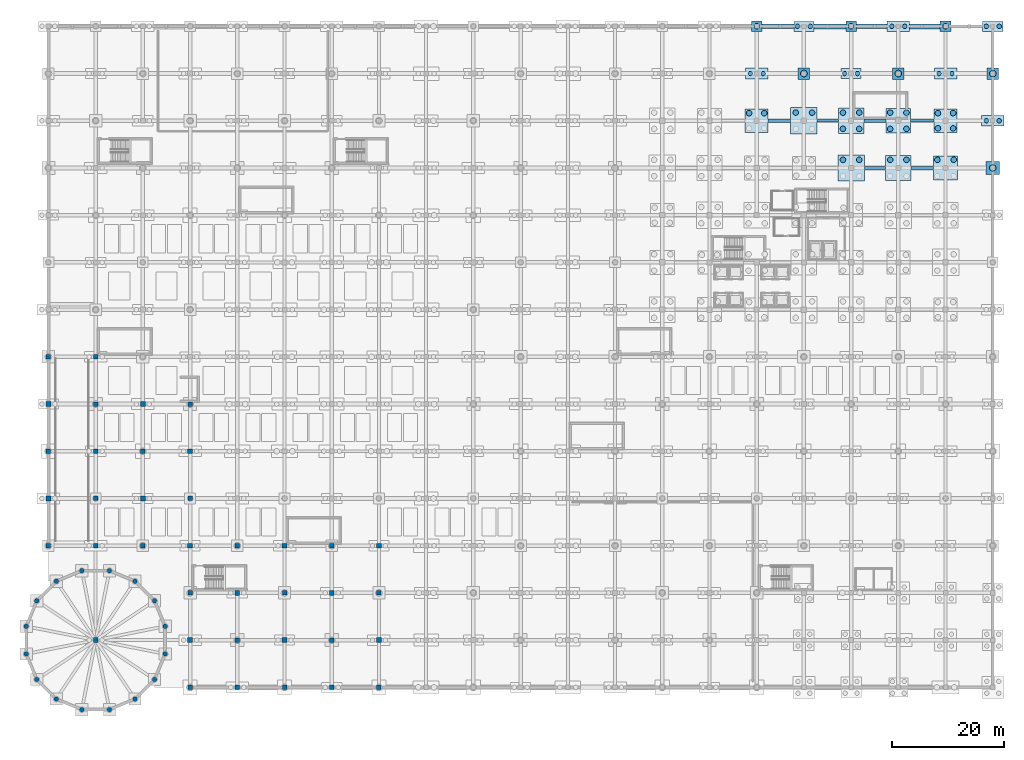
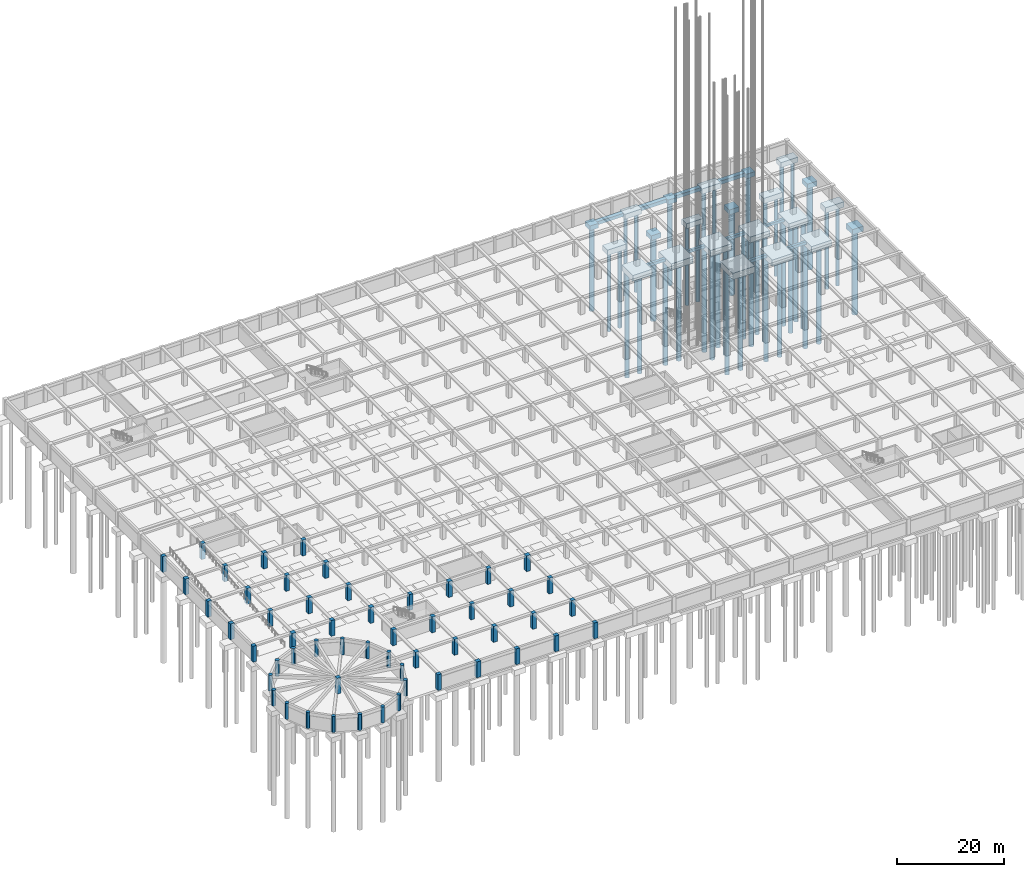
# One storey, part 8 of 47: 54 columns, 43 piles, 32 footings.
"""IFC4 building model written with IfcOpenShell, lengths in metres."""

from ifc_helpers import new_model, si_unit, direction, frame, origin, origin_2d, place, context, subcontext, project, spatial, rectangle, circle, extrude, material, layer, layer_set, material_profile, profile_set, type_object, element, save


model = new_model("IFC4")

# Units and contexts
model_context = context("Model", 3, precision=1e-05, world=origin(), true_north=direction((0.0, 1.0)))
body_context = subcontext(model_context, "Body", "Model", "MODEL_VIEW")
ifc_project = project(units=[si_unit("LENGTHUNIT", "METRE"), si_unit("AREAUNIT", "SQUARE_METRE"), si_unit("VOLUMEUNIT", "CUBIC_METRE"), si_unit("PLANEANGLEUNIT", "RADIAN"), si_unit("MASSUNIT", "GRAM", prefix="KILO")], contexts=[model_context])

# Site, building, storey
site_placement = place(None, origin())
site = spatial("IfcSite", under=ifc_project, at=site_placement, CompositionType="ELEMENT")
building_placement = place(site_placement, origin())
building = spatial("IfcBuilding", under=site, at=building_placement, Name="Almacenes y Pasaje Nevantli", CompositionType="ELEMENT")
storey_placement = place(building_placement, frame((0.0, 0.0, -8.10009765625)))
storey = spatial("IfcBuildingStorey", under=building, at=storey_placement, Name="B02", CompositionType="ELEMENT", Elevation=-8.10009765625)

# Footings
ifc_material_1 = material(Name="Concrete C45/55", Category="concrete")
ifc_layer_1 = layer(ifc_material_1, 0.64990234375)
ifc_layer_set_1 = layer_set([ifc_layer_1], Name="Concrete C45/55")
footing_type_1 = type_object("IfcFootingType", Name="FT-FB-01", PredefinedType="FOOTING_BEAM", material=ifc_layer_set_1)
footing_1_placement = place(storey_placement, frame((147.050048828125, 92.39990234375, -1.14990234375), z_axis=(0.0, 0.0, 1.0), x_axis=(1.0, 0.0, 0.0)))
element("IfcFooting", 1, at=footing_1_placement, inside=storey, type_object=footing_type_1, Name="Continuous Seismic Footing Tie Beam #23", PredefinedType="FOOTING_BEAM", context=body_context, shape_type="SweptSolid", body=[
    extrude(rectangle(XDim=3.800048828125, YDim=0.550048828125, at=origin_2d()), origin(), (0.0, 0.0, 1.0), 0.64990234375),
])
for number, where, z_axis, x_axis, name in (
    (2, (130.050048828125, 100.800048828125, -1.14990234375), (0.0, 0.0, 1.0), (1.0, 0.0, 0.0), "Continuous Seismic Footing Tie Beam #27"),
    (3, (147.050048828125, 100.800048828125, -1.14990234375), (0.0, 0.0, 1.0), (1.0, 0.0, 0.0), "Continuous Seismic Footing Tie Beam #29"),
):
    element("IfcFooting", number, at=place(storey_placement, frame(where, z_axis=z_axis, x_axis=x_axis)), inside=storey, type_object=footing_type_1, Name=name, PredefinedType="FOOTING_BEAM", context=body_context, shape_type="SweptSolid", body=[
        extrude(rectangle(XDim=4.0, YDim=0.550048828125, at=origin_2d()), origin(), (0.0, 0.0, 1.0), 0.64990234375),
    ])
ifc_material_2 = material(Name="Concrete C45/55", Category="concrete")
ifc_layer_2 = layer(ifc_material_2, 0.60009765625)
ifc_layer_set_2 = layer_set([ifc_layer_2], Name="Concrete C45/55")
footing_type_2 = type_object("IfcFootingType", Name="FT-FB-02", PredefinedType="FOOTING_BEAM", material=ifc_layer_set_2)
footing_2_placement = place(storey_placement, frame((155.449951171875, 92.39990234375, -1.099853515625), z_axis=(0.0, 0.0, 1.0), x_axis=(1.0, 0.0, 0.0)))
element("IfcFooting", 4, at=footing_2_placement, inside=storey, type_object=footing_type_2, Name="Continuous Seismic Footing Tie Beam #24", PredefinedType="FOOTING_BEAM", context=body_context, shape_type="SweptSolid", body=[
    extrude(rectangle(XDim=4.0, YDim=0.5, at=origin_2d()), origin(), (0.0, 0.0, 1.0), 0.60009765625),
])
footing_3_placement = place(storey_placement, frame((138.64990234375, 100.800048828125, -1.099853515625), z_axis=(0.0, 0.0, 1.0), x_axis=(1.0, 0.0, 0.0)))
element("IfcFooting", 5, at=footing_3_placement, inside=storey, type_object=footing_type_2, Name="Continuous Seismic Footing Tie Beam #28", PredefinedType="FOOTING_BEAM", context=body_context, shape_type="SweptSolid", body=[
    extrude(rectangle(XDim=3.800048828125, YDim=0.5, at=origin_2d()), origin(), (0.0, 0.0, 1.0), 0.60009765625),
])
footing_4_placement = place(storey_placement, frame((155.449951171875, 100.800048828125, -1.099853515625), z_axis=(0.0, 0.0, 1.0), x_axis=(1.0, 0.0, 0.0)))
element("IfcFooting", 6, at=footing_4_placement, inside=storey, type_object=footing_type_2, Name="Continuous Seismic Footing Tie Beam #30", PredefinedType="FOOTING_BEAM", context=body_context, shape_type="SweptSolid", body=[
    extrude(rectangle(XDim=4.199951171875, YDim=0.5, at=origin_2d()), origin(), (0.0, 0.0, 1.0), 0.60009765625),
])
ifc_material_3 = material(Name="Concrete C45/55", Category="concrete")
ifc_layer_3 = layer(ifc_material_3, 1.449951171875)
ifc_layer_set_3 = layer_set([ifc_layer_3], Name="Concrete C45/55")
footing_type_3 = type_object("IfcFootingType", Name="FT-PC-01", PredefinedType="PILE_CAP", material=ifc_layer_set_3)
for number, where, z_axis, x_axis, name in (
    (7, (134.39990234375, 100.800048828125, -1.94970703125), (0.0, 0.0, 1.0), (1.0, 0.0, 0.0), "Reinforced Concrete Pile Cap PC-01 #245"),
    (8, (142.800048828125, 92.39990234375, -1.94970703125), (0.0, 0.0, 1.0), (1.0, 0.0, 0.0), "Reinforced Concrete Pile Cap PC-01 #259"),
):
    element("IfcFooting", number, at=place(storey_placement, frame(where, z_axis=z_axis, x_axis=x_axis)), inside=storey, type_object=footing_type_3, Name=name, PredefinedType="PILE_CAP", context=body_context, shape_type="SweptSolid", body=[
        extrude(rectangle(XDim=4.699951171875, YDim=4.699951171875, at=origin_2d()), origin(), (0.0, 0.0, 1.0), 1.449951171875),
    ])
ifc_material_4 = material(Name="Concrete C45/55", Category="concrete")
ifc_layer_4 = layer(ifc_material_4, 1.39990234375)
ifc_layer_set_4 = layer_set([ifc_layer_4], Name="Concrete C45/55")
footing_type_4 = type_object("IfcFootingType", Name="FT-PC-02", PredefinedType="PILE_CAP", material=ifc_layer_set_4)
for number, where, z_axis, x_axis, name in (
    (9, (142.800048828125, 100.800048828125, -1.89990234375), (0.0, 0.0, 1.0), (1.0, 0.0, 0.0), "Reinforced Concrete Pile Cap PC-02 #260"),
    (10, (151.199951171875, 92.39990234375, -1.89990234375), (0.0, 0.0, 1.0), (1.0, 0.0, 0.0), "Reinforced Concrete Pile Cap PC-02 #274"),
):
    element("IfcFooting", number, at=place(storey_placement, frame(where, z_axis=z_axis, x_axis=x_axis)), inside=storey, type_object=footing_type_4, Name=name, PredefinedType="PILE_CAP", context=body_context, shape_type="SweptSolid", body=[
        extrude(rectangle(XDim=4.5, YDim=4.5, at=origin_2d()), origin(), (0.0, 0.0, 1.0), 1.39990234375),
    ])
ifc_material_5 = material(Name="Concrete C45/55", Category="concrete")
ifc_layer_5 = layer(ifc_material_5, 1.35009765625)
ifc_layer_set_5 = layer_set([ifc_layer_5], Name="Concrete C45/55")
footing_type_5 = type_object("IfcFootingType", Name="FT-PC-03", PredefinedType="PILE_CAP", material=ifc_layer_set_5)
for number, where, z_axis, x_axis, name in (
    (11, (151.199951171875, 100.800048828125, -1.849853515625), (0.0, 0.0, 1.0), (1.0, 0.0, 0.0), "Reinforced Concrete Pile Cap PC-03 #275"),
    (12, (159.60009765625, 92.39990234375, -1.849853515625), (0.0, 0.0, 1.0), (1.0, 0.0, 0.0), "Reinforced Concrete Pile Cap PC-03 #289"),
):
    element("IfcFooting", number, at=place(storey_placement, frame(where, z_axis=z_axis, x_axis=x_axis)), inside=storey, type_object=footing_type_5, Name=name, PredefinedType="PILE_CAP", context=body_context, shape_type="SweptSolid", body=[
        extrude(rectangle(XDim=4.300048828125, YDim=4.300048828125, at=origin_2d()), origin(), (0.0, 0.0, 1.0), 1.35009765625),
    ])
ifc_material_6 = material(Name="Concrete C45/55", Category="concrete")
ifc_layer_6 = layer(ifc_material_6, 1.300048828125)
ifc_layer_set_6 = layer_set([ifc_layer_6], Name="Concrete C45/55")
footing_type_6 = type_object("IfcFootingType", Name="FT-PC-04", PredefinedType="PILE_CAP", material=ifc_layer_set_6)
for number, where, z_axis, x_axis, name in (
    (13, (126.0, 100.800048828125, -1.7998046875), (0.0, 0.0, 1.0), (1.0, 0.0, 0.0), "Reinforced Concrete Pile Cap PC-04 #230"),
    (14, (159.60009765625, 100.800048828125, -1.7998046875), (0.0, 0.0, 1.0), (1.0, 0.0, 0.0), "Reinforced Concrete Pile Cap PC-04 #290"),
):
    element("IfcFooting", number, at=place(storey_placement, frame(where, z_axis=z_axis, x_axis=x_axis)), inside=storey, type_object=footing_type_6, Name=name, PredefinedType="PILE_CAP", context=body_context, shape_type="SweptSolid", body=[
        extrude(rectangle(XDim=4.10009765625, YDim=4.10009765625, at=origin_2d()), origin(), (0.0, 0.0, 1.0), 1.300048828125),
    ])
ifc_material_7 = material(Name="Concrete C45/55", Category="concrete")
ifc_layer_7 = layer(ifc_material_7, 1.199951171875)
ifc_layer_set_7 = layer_set([ifc_layer_7], Name="Concrete C45/55")
footing_type_7 = type_object("IfcFootingType", Name="FT-PC-09", PredefinedType="PILE_CAP", material=ifc_layer_set_7)
for number, where, z_axis, x_axis, name in (
    (15, (126.0, 109.199951171875, -1.69970703125), (0.0, 0.0, 1.0), (1.0, 0.0, 0.0), "Reinforced Concrete Pile Cap PC-09 #231"),
    (16, (151.199951171875, 117.60009765625, -1.69970703125), (0.0, 0.0, 1.0), (1.0, 0.0, 0.0), "Reinforced Concrete Pile Cap PC-09 #277"),
    (17, (159.60009765625, 109.199951171875, -1.69970703125), (0.0, 0.0, 1.0), (1.0, 0.0, 0.0), "Reinforced Concrete Pile Cap PC-09 #291"),
    (18, (168.0, 100.800048828125, -1.69970703125), (0.0, 0.0, 1.0), (1.0, 0.0, 0.0), "Reinforced Concrete Pile Cap PC-09 #305"),
):
    element("IfcFooting", number, at=place(storey_placement, frame(where, z_axis=z_axis, x_axis=x_axis)), inside=storey, type_object=footing_type_7, Name=name, PredefinedType="PILE_CAP", context=body_context, shape_type="SweptSolid", body=[
        extrude(rectangle(XDim=4.0, YDim=1.89990234375, at=origin_2d()), origin(), (0.0, 0.0, 1.0), 1.199951171875),
    ])
ifc_material_8 = material(Name="Concrete C45/55", Category="concrete")
ifc_layer_8 = layer(ifc_material_8, 1.14990234375)
ifc_layer_set_8 = layer_set([ifc_layer_8], Name="Concrete C45/55")
footing_type_8 = type_object("IfcFootingType", Name="FT-PC-11", PredefinedType="PILE_CAP", material=ifc_layer_set_8)
for number, where, z_axis, x_axis, name in (
    (19, (134.39990234375, 117.60009765625, -1.64990234375), (0.0, 0.0, 1.0), (1.0, 0.0, 0.0), "Reinforced Concrete Pile Cap PC-11 #247"),
    (20, (142.800048828125, 109.199951171875, -1.64990234375), (0.0, 0.0, 1.0), (1.0, 0.0, 0.0), "Reinforced Concrete Pile Cap PC-11 #261"),
    (21, (168.0, 117.60009765625, -1.64990234375), (0.0, 0.0, 1.0), (1.0, 0.0, 0.0), "Reinforced Concrete Pile Cap PC-11 #307"),
):
    element("IfcFooting", number, at=place(storey_placement, frame(where, z_axis=z_axis, x_axis=x_axis)), inside=storey, type_object=footing_type_8, Name=name, PredefinedType="PILE_CAP", context=body_context, shape_type="SweptSolid", body=[
        extrude(rectangle(XDim=3.60009765625, YDim=1.800048828125, at=origin_2d()), origin(), (0.0, 0.0, 1.0), 1.14990234375),
    ])
ifc_material_9 = material(Name="Concrete C45/55", Category="concrete")
ifc_layer_9 = layer(ifc_material_9, 1.199951171875)
ifc_layer_set_9 = layer_set([ifc_layer_9], Name="Concrete C45/55")
footing_type_9 = type_object("IfcFootingType", Name="FT-PC-16", PredefinedType="PILE_CAP", material=ifc_layer_set_9)
footing_5_placement = place(storey_placement, frame((168.0, 92.39990234375, -1.69970703125), z_axis=(0.0, 0.0, 1.0), x_axis=(1.0, 0.0, 0.0)))
element("IfcFooting", 22, at=footing_5_placement, inside=storey, type_object=footing_type_9, Name="Reinforced Concrete Pile Cap PC-16 #304", PredefinedType="PILE_CAP", context=body_context, shape_type="SweptSolid", body=[
    extrude(rectangle(XDim=2.35009765625, YDim=2.35009765625, at=origin_2d()), origin(), (0.0, 0.0, 1.0), 1.199951171875),
])
ifc_material_10 = material(Name="Concrete C45/55", Category="concrete")
ifc_layer_10 = layer(ifc_material_10, 1.10009765625)
ifc_layer_set_10 = layer_set([ifc_layer_10], Name="Concrete C45/55")
footing_type_10 = type_object("IfcFootingType", Name="FT-PC-18", PredefinedType="PILE_CAP", material=ifc_layer_set_10)
for number, where, z_axis, x_axis, name in (
    (23, (134.39990234375, 109.199951171875, -1.599853515625), (0.0, 0.0, 1.0), (1.0, 0.0, 0.0), "Reinforced Concrete Pile Cap PC-18 #246"),
    (24, (151.199951171875, 109.199951171875, -1.599853515625), (0.0, 0.0, 1.0), (1.0, 0.0, 0.0), "Reinforced Concrete Pile Cap PC-18 #276"),
    (25, (168.0, 109.199951171875, -1.599853515625), (0.0, 0.0, 1.0), (1.0, 0.0, 0.0), "Reinforced Concrete Pile Cap PC-18 #306"),
):
    element("IfcFooting", number, at=place(storey_placement, frame(where, z_axis=z_axis, x_axis=x_axis)), inside=storey, type_object=footing_type_10, Name=name, PredefinedType="PILE_CAP", context=body_context, shape_type="SweptSolid", body=[
        extrude(rectangle(XDim=2.050048828125, YDim=2.050048828125, at=origin_2d()), origin(), (0.0, 0.0, 1.0), 1.10009765625),
    ])
ifc_material_11 = material(Name="Concrete C45/55", Category="concrete")
ifc_layer_11 = layer(ifc_material_11, 1.050048828125)
ifc_layer_set_11 = layer_set([ifc_layer_11], Name="Concrete C45/55")
footing_type_11 = type_object("IfcFootingType", Name="FT-PC-19", PredefinedType="PILE_CAP", material=ifc_layer_set_11)
for number, where, z_axis, x_axis, name in (
    (26, (126.0, 117.60009765625, -1.5498046875), (0.0, 0.0, 1.0), (1.0, 0.0, 0.0), "Reinforced Concrete Pile Cap PC-19 #232"),
    (27, (142.800048828125, 117.60009765625, -1.5498046875), (0.0, 0.0, 1.0), (1.0, 0.0, 0.0), "Reinforced Concrete Pile Cap PC-19 #262"),
    (28, (159.60009765625, 117.60009765625, -1.5498046875), (0.0, 0.0, 1.0), (1.0, 0.0, 0.0), "Reinforced Concrete Pile Cap PC-19 #292"),
):
    element("IfcFooting", number, at=place(storey_placement, frame(where, z_axis=z_axis, x_axis=x_axis)), inside=storey, type_object=footing_type_11, Name=name, PredefinedType="PILE_CAP", context=body_context, shape_type="SweptSolid", body=[
        extrude(rectangle(XDim=1.89990234375, YDim=1.89990234375, at=origin_2d()), origin(), (0.0, 0.0, 1.0), 1.050048828125),
    ])
ifc_material_12 = material(Name="Concrete C45/55", Category="concrete")
ifc_layer_12 = layer(ifc_material_12, 0.800048828125)
ifc_layer_set_12 = layer_set([ifc_layer_12], Name="Concrete C45/55")
footing_type_12 = type_object("IfcFootingType", Name="FT-SF-01", PredefinedType="STRIP_FOOTING", material=ifc_layer_set_12)
footing_6_placement = place(storey_placement, frame((139.02490234375, 117.60009765625, -1.2998046875), z_axis=(0.0, 0.0, 1.0), x_axis=(1.0, 0.0, 0.0)))
element("IfcFooting", 29, at=footing_6_placement, inside=storey, type_object=footing_type_12, Name="Continuous Perimeter Strip Footing #17", PredefinedType="STRIP_FOOTING", context=body_context, shape_type="SweptSolid", body=[
    extrude(rectangle(XDim=5.64990234375, YDim=0.89990234375, at=origin_2d()), origin(), (0.0, 0.0, 1.0), 0.800048828125),
])
footing_7_placement = place(storey_placement, frame((155.925048828125, 117.60009765625, -1.2998046875), z_axis=(0.0, 0.0, 1.0), x_axis=(1.0, 0.0, 0.0)))
element("IfcFooting", 30, at=footing_7_placement, inside=storey, type_object=footing_type_12, Name="Continuous Perimeter Strip Footing #19", PredefinedType="STRIP_FOOTING", context=body_context, shape_type="SweptSolid", body=[
    extrude(rectangle(XDim=5.449951171875, YDim=0.89990234375, at=origin_2d()), origin(), (0.0, 0.0, 1.0), 0.800048828125),
])
ifc_material_13 = material(Name="Concrete C45/55", Category="concrete")
ifc_layer_13 = layer(ifc_material_13, 0.75)
ifc_layer_set_13 = layer_set([ifc_layer_13], Name="Concrete C45/55")
footing_type_13 = type_object("IfcFootingType", Name="FT-SF-02", PredefinedType="STRIP_FOOTING", material=ifc_layer_set_13)
footing_8_placement = place(storey_placement, frame((129.77490234375, 117.60009765625, -1.25), z_axis=(0.0, 0.0, 1.0), x_axis=(1.0, 0.0, 0.0)))
element("IfcFooting", 31, at=footing_8_placement, inside=storey, type_object=footing_type_13, Name="Continuous Perimeter Strip Footing #16", PredefinedType="STRIP_FOOTING", context=body_context, shape_type="SweptSolid", body=[
    extrude(rectangle(XDim=5.64990234375, YDim=0.85009765625, at=origin_2d()), origin(), (0.0, 0.0, 1.0), 0.75),
])
footing_9_placement = place(storey_placement, frame((146.47509765625, 117.60009765625, -1.25), z_axis=(0.0, 0.0, 1.0), x_axis=(1.0, 0.0, 0.0)))
element("IfcFooting", 32, at=footing_9_placement, inside=storey, type_object=footing_type_13, Name="Continuous Perimeter Strip Footing #18", PredefinedType="STRIP_FOOTING", context=body_context, shape_type="SweptSolid", body=[
    extrude(rectangle(XDim=5.449951171875, YDim=0.85009765625, at=origin_2d()), origin(), (0.0, 0.0, 1.0), 0.75),
])

# Piles
ifc_material_14 = material(Name="Concrete C45/55", Category="concrete")
ifc_material_profile_1 = material_profile(ifc_material_14, circle(Radius=0.5, at=origin_2d()), Name="RC-PILE-D1000")
ifc_profile_set_1 = profile_set([ifc_material_profile_1], Name="Concrete C45/55")
pile_type_1 = type_object("IfcPileType", Name="PL-BORED-1000", PredefinedType="BORED", material=ifc_profile_set_1)
for number, where, z_axis, x_axis, name in (
    (33, (124.64990234375, 102.14990234375, -1.75), (0.0, 0.0, -1.0), (1.0, 0.0, 0.0), "Bored Pile PL-1000 #407"),
    (34, (127.35009765625, 102.14990234375, -1.75), (0.0, 0.0, -1.0), (1.0, 0.0, 0.0), "Bored Pile PL-1000 #408"),
):
    element("IfcPile", number, at=place(storey_placement, frame(where, z_axis=z_axis, x_axis=x_axis)), inside=storey, type_object=pile_type_1, Name=name, PredefinedType="BORED", context=body_context, shape_type="SweptSolid", body=[
        extrude(circle(Radius=0.5, at=origin_2d()), origin(), (0.0, 0.0, 1.0), 24.0),
    ])
pile_1_placement = place(storey_placement, frame((126.0, 117.60009765625, -1.5), z_axis=(0.0, 0.0, -1.0), x_axis=(1.0, 0.0, 0.0)))
element("IfcPile", 35, at=pile_1_placement, inside=storey, type_object=pile_type_1, Name="Bored Pile PL-1000 #411", PredefinedType="BORED", context=body_context, shape_type="SweptSolid", body=[
    extrude(circle(Radius=0.5, at=origin_2d()), origin(), (0.0, 0.0, 1.0), 19.0),
])
for number, where, z_axis, x_axis, name in (
    (36, (132.949951171875, 102.25, -1.89990234375), (0.0, 0.0, -1.0), (1.0, 0.0, 0.0), "Bored Pile PL-1000 #449"),
    (37, (135.85009765625, 102.25, -1.89990234375), (0.0, 0.0, -1.0), (1.0, 0.0, 0.0), "Bored Pile PL-1000 #450"),
    (38, (141.35009765625, 93.85009765625, -1.89990234375), (0.0, 0.0, -1.0), (1.0, 0.0, 0.0), "Bored Pile PL-1000 #486"),
    (39, (144.25, 93.85009765625, -1.89990234375), (0.0, 0.0, -1.0), (1.0, 0.0, 0.0), "Bored Pile PL-1000 #487"),
    (40, (141.35009765625, 99.35009765625, -1.849853515625), (0.0, 0.0, -1.0), (1.0, 0.0, 0.0), "Bored Pile PL-1000 #488"),
    (41, (144.25, 99.35009765625, -1.849853515625), (0.0, 0.0, -1.0), (1.0, 0.0, 0.0), "Bored Pile PL-1000 #489"),
    (42, (141.35009765625, 102.25, -1.849853515625), (0.0, 0.0, -1.0), (1.0, 0.0, 0.0), "Bored Pile PL-1000 #490"),
    (43, (144.25, 102.25, -1.849853515625), (0.0, 0.0, -1.0), (1.0, 0.0, 0.0), "Bored Pile PL-1000 #491"),
):
    element("IfcPile", number, at=place(storey_placement, frame(where, z_axis=z_axis, x_axis=x_axis)), inside=storey, type_object=pile_type_1, Name=name, PredefinedType="BORED", context=body_context, shape_type="SweptSolid", body=[
        extrude(circle(Radius=0.5, at=origin_2d()), origin(), (0.0, 0.0, 1.0), 24.0),
    ])
pile_2_placement = place(storey_placement, frame((142.800048828125, 117.60009765625, -1.5), z_axis=(0.0, 0.0, -1.0), x_axis=(1.0, 0.0, 0.0)))
element("IfcPile", 44, at=pile_2_placement, inside=storey, type_object=pile_type_1, Name="Bored Pile PL-1000 #494", PredefinedType="BORED", context=body_context, shape_type="SweptSolid", body=[
    extrude(circle(Radius=0.5, at=origin_2d()), origin(), (0.0, 0.0, 1.0), 19.0),
])
for number, where, z_axis, x_axis, name in (
    (45, (149.75, 93.85009765625, -1.849853515625), (0.0, 0.0, -1.0), (1.0, 0.0, 0.0), "Bored Pile PL-1000 #526"),
    (46, (152.64990234375, 93.85009765625, -1.849853515625), (0.0, 0.0, -1.0), (1.0, 0.0, 0.0), "Bored Pile PL-1000 #527"),
    (47, (149.75, 99.35009765625, -1.7998046875), (0.0, 0.0, -1.0), (1.0, 0.0, 0.0), "Bored Pile PL-1000 #528"),
    (48, (152.64990234375, 99.35009765625, -1.7998046875), (0.0, 0.0, -1.0), (1.0, 0.0, 0.0), "Bored Pile PL-1000 #529"),
    (49, (149.75, 102.25, -1.7998046875), (0.0, 0.0, -1.0), (1.0, 0.0, 0.0), "Bored Pile PL-1000 #530"),
    (50, (152.64990234375, 102.25, -1.7998046875), (0.0, 0.0, -1.0), (1.0, 0.0, 0.0), "Bored Pile PL-1000 #531"),
    (51, (158.14990234375, 93.85009765625, -1.7998046875), (0.0, 0.0, -1.0), (1.0, 0.0, 0.0), "Bored Pile PL-1000 #567"),
    (52, (161.050048828125, 93.85009765625, -1.7998046875), (0.0, 0.0, -1.0), (1.0, 0.0, 0.0), "Bored Pile PL-1000 #568"),
    (53, (158.25, 99.449951171875, -1.75), (0.0, 0.0, -1.0), (1.0, 0.0, 0.0), "Bored Pile PL-1000 #569"),
    (54, (160.949951171875, 99.449951171875, -1.75), (0.0, 0.0, -1.0), (1.0, 0.0, 0.0), "Bored Pile PL-1000 #570"),
    (55, (158.25, 102.14990234375, -1.75), (0.0, 0.0, -1.0), (1.0, 0.0, 0.0), "Bored Pile PL-1000 #571"),
    (56, (160.949951171875, 102.14990234375, -1.75), (0.0, 0.0, -1.0), (1.0, 0.0, 0.0), "Bored Pile PL-1000 #572"),
):
    element("IfcPile", number, at=place(storey_placement, frame(where, z_axis=z_axis, x_axis=x_axis)), inside=storey, type_object=pile_type_1, Name=name, PredefinedType="BORED", context=body_context, shape_type="SweptSolid", body=[
        extrude(circle(Radius=0.5, at=origin_2d()), origin(), (0.0, 0.0, 1.0), 24.0),
    ])
pile_3_placement = place(storey_placement, frame((159.60009765625, 117.60009765625, -1.5), z_axis=(0.0, 0.0, -1.0), x_axis=(1.0, 0.0, 0.0)))
element("IfcPile", 57, at=pile_3_placement, inside=storey, type_object=pile_type_1, Name="Bored Pile PL-1000 #575", PredefinedType="BORED", context=body_context, shape_type="SweptSolid", body=[
    extrude(circle(Radius=0.5, at=origin_2d()), origin(), (0.0, 0.0, 1.0), 19.0),
])
ifc_material_15 = material(Name="Concrete C45/55", Category="concrete")
ifc_material_profile_2 = material_profile(ifc_material_15, circle(Radius=0.60009765625, at=origin_2d()), Name="RC-PILE-D1200")
ifc_profile_set_2 = profile_set([ifc_material_profile_2], Name="Concrete C45/55")
pile_type_2 = type_object("IfcPileType", Name="PL-BORED-1200", PredefinedType="BORED", material=ifc_profile_set_2)
for number, where, z_axis, x_axis, name in (
    (58, (134.39990234375, 109.199951171875, -1.5498046875), (0.0, 0.0, -1.0), (1.0, 0.0, 0.0), "Bored Pile PL-1200 #451"),
    (59, (151.199951171875, 109.199951171875, -1.5498046875), (0.0, 0.0, -1.0), (1.0, 0.0, 0.0), "Bored Pile PL-1200 #532"),
    (60, (168.0, 92.39990234375, -1.64990234375), (0.0, 0.0, -1.0), (1.0, 0.0, 0.0), "Bored Pile PL-1200 #600"),
    (61, (168.0, 109.199951171875, -1.5498046875), (0.0, 0.0, -1.0), (1.0, 0.0, 0.0), "Bored Pile PL-1200 #603"),
):
    element("IfcPile", number, at=place(storey_placement, frame(where, z_axis=z_axis, x_axis=x_axis)), inside=storey, type_object=pile_type_2, Name=name, PredefinedType="BORED", context=body_context, shape_type="SweptSolid", body=[
        extrude(circle(Radius=0.60009765625, at=origin_2d()), origin(), (0.0, 0.0, 1.0), 19.0),
    ])
ifc_material_16 = material(Name="Concrete C45/55", Category="concrete")
ifc_material_profile_3 = material_profile(ifc_material_16, circle(Radius=0.39990234375, at=origin_2d()), Name="RC-PILE-D800")
ifc_profile_set_3 = profile_set([ifc_material_profile_3], Name="Concrete C45/55")
pile_type_3 = type_object("IfcPileType", Name="PL-BORED-800", PredefinedType="BORED", material=ifc_profile_set_3)
for number, where, z_axis, x_axis, name in (
    (62, (124.85009765625, 109.199951171875, -1.64990234375), (0.0, 0.0, -1.0), (1.0, 0.0, 0.0), "Bored Pile PL-800 #409"),
    (63, (127.14990234375, 109.199951171875, -1.64990234375), (0.0, 0.0, -1.0), (1.0, 0.0, 0.0), "Bored Pile PL-800 #410"),
    (64, (133.25, 117.60009765625, -1.599853515625), (0.0, 0.0, -1.0), (1.0, 0.0, 0.0), "Bored Pile PL-800 #452"),
    (65, (135.550048828125, 117.60009765625, -1.599853515625), (0.0, 0.0, -1.0), (1.0, 0.0, 0.0), "Bored Pile PL-800 #453"),
    (66, (141.64990234375, 109.199951171875, -1.599853515625), (0.0, 0.0, -1.0), (1.0, 0.0, 0.0), "Bored Pile PL-800 #492"),
    (67, (143.949951171875, 109.199951171875, -1.599853515625), (0.0, 0.0, -1.0), (1.0, 0.0, 0.0), "Bored Pile PL-800 #493"),
    (68, (150.050048828125, 117.60009765625, -1.64990234375), (0.0, 0.0, -1.0), (1.0, 0.0, 0.0), "Bored Pile PL-800 #533"),
    (69, (152.35009765625, 117.60009765625, -1.64990234375), (0.0, 0.0, -1.0), (1.0, 0.0, 0.0), "Bored Pile PL-800 #534"),
    (70, (158.449951171875, 109.199951171875, -1.64990234375), (0.0, 0.0, -1.0), (1.0, 0.0, 0.0), "Bored Pile PL-800 #573"),
    (71, (160.75, 109.199951171875, -1.64990234375), (0.0, 0.0, -1.0), (1.0, 0.0, 0.0), "Bored Pile PL-800 #574"),
    (72, (166.85009765625, 100.800048828125, -1.64990234375), (0.0, 0.0, -1.0), (1.0, 0.0, 0.0), "Bored Pile PL-800 #601"),
    (73, (169.14990234375, 100.800048828125, -1.64990234375), (0.0, 0.0, -1.0), (1.0, 0.0, 0.0), "Bored Pile PL-800 #602"),
    (74, (166.85009765625, 117.60009765625, -1.599853515625), (0.0, 0.0, -1.0), (1.0, 0.0, 0.0), "Bored Pile PL-800 #604"),
    (75, (169.14990234375, 117.60009765625, -1.599853515625), (0.0, 0.0, -1.0), (1.0, 0.0, 0.0), "Bored Pile PL-800 #605"),
):
    element("IfcPile", number, at=place(storey_placement, frame(where, z_axis=z_axis, x_axis=x_axis)), inside=storey, type_object=pile_type_3, Name=name, PredefinedType="BORED", context=body_context, shape_type="SweptSolid", body=[
        extrude(circle(Radius=0.39990234375, at=origin_2d()), origin(), (0.0, 0.0, 1.0), 18.0),
    ])

# Columns
ifc_material_17 = material(Name="Concrete C45/55", Category="concrete")
ifc_material_profile_4 = material_profile(ifc_material_17, rectangle(XDim=0.800048828125, YDim=0.800048828125, at=origin_2d()), Name="RC-COL-800x800")
ifc_profile_set_4 = profile_set([ifc_material_profile_4], Name="Concrete C45/55")
column_type_1 = type_object("IfcColumnType", Name="COL-RC-800", PredefinedType="COLUMN", material=ifc_profile_set_4)
for number, where, z_axis, x_axis, name in (
    (76, (0.0, 25.199951171875, 0.0), (0.0, 0.0, 1.0), (1.0, 0.0, 0.0), "B02 Reinforced Concrete Column CL-04 #1"),
    (77, (0.0, 42.0, 0.0), (0.0, 0.0, 1.0), (1.0, 0.0, 0.0), "B02 Reinforced Concrete Column CL-04 #3"),
    (78, (0.0, 58.800048828125, 0.0), (0.0, 0.0, 1.0), (1.0, 0.0, 0.0), "B02 Reinforced Concrete Column CL-04 #5"),
    (79, (8.39990234375, 33.60009765625, 0.0), (0.0, 0.0, 1.0), (1.0, 0.0, 0.0), "B02 Reinforced Concrete Column CL-04 #15"),
    (80, (8.39990234375, 50.39990234375, 0.0), (0.0, 0.0, 1.0), (1.0, 0.0, 0.0), "B02 Reinforced Concrete Column CL-04 #17"),
    (81, (16.800048828125, 25.199951171875, 0.0), (0.0, 0.0, 1.0), (1.0, 0.0, 0.0), "B02 Reinforced Concrete Column CL-04 #26"),
    (82, (16.800048828125, 42.0, 0.0), (0.0, 0.0, 1.0), (1.0, 0.0, 0.0), "B02 Reinforced Concrete Column CL-04 #28"),
    (83, (25.199951171875, 0.0, 0.0), (0.0, 0.0, 1.0), (1.0, 0.0, 0.0), "B02 Reinforced Concrete Column CL-04 #38"),
    (84, (25.199951171875, 16.800048828125, 0.0), (0.0, 0.0, 1.0), (1.0, 0.0, 0.0), "B02 Reinforced Concrete Column CL-04 #40"),
    (85, (25.199951171875, 33.60009765625, 0.0), (0.0, 0.0, 1.0), (1.0, 0.0, 0.0), "B02 Reinforced Concrete Column CL-04 #42"),
    (86, (25.199951171875, 50.39990234375, 0.0), (0.0, 0.0, 1.0), (1.0, 0.0, 0.0), "B02 Reinforced Concrete Column CL-04 #44"),
    (87, (33.60009765625, 8.39990234375, 0.0), (0.0, 0.0, 1.0), (1.0, 0.0, 0.0), "B02 Reinforced Concrete Column CL-04 #54"),
    (88, (33.60009765625, 25.199951171875, 0.0), (0.0, 0.0, 1.0), (1.0, 0.0, 0.0), "B02 Reinforced Concrete Column CL-04 #56"),
    (89, (42.0, 0.0, 0.0), (0.0, 0.0, 1.0), (1.0, 0.0, 0.0), "B02 Reinforced Concrete Column CL-04 #68"),
    (90, (42.0, 16.800048828125, 0.0), (0.0, 0.0, 1.0), (1.0, 0.0, 0.0), "B02 Reinforced Concrete Column CL-04 #70"),
    (91, (50.39990234375, 8.39990234375, 0.0), (0.0, 0.0, 1.0), (1.0, 0.0, 0.0), "B02 Reinforced Concrete Column CL-04 #84"),
    (92, (50.39990234375, 25.199951171875, 0.0), (0.0, 0.0, 1.0), (1.0, 0.0, 0.0), "B02 Reinforced Concrete Column CL-04 #86"),
    (93, (58.800048828125, 0.0, 0.0), (0.0, 0.0, 1.0), (1.0, 0.0, 0.0), "B02 Reinforced Concrete Column CL-04 #98"),
    (94, (58.800048828125, 16.800048828125, 0.0), (0.0, 0.0, 1.0), (1.0, 0.0, 0.0), "B02 Reinforced Concrete Column CL-04 #100"),
):
    element("IfcColumn", number, at=place(storey_placement, frame(where, z_axis=z_axis, x_axis=x_axis)), inside=storey, type_object=column_type_1, Name=name, PredefinedType="COLUMN", context=body_context, shape_type="SweptSolid", body=[
        extrude(rectangle(XDim=0.800048828125, YDim=0.800048828125, at=origin_2d()), origin(), (0.0, 0.0, 1.0), 3.60009765625),
    ])
ifc_material_18 = material(Name="Concrete C45/55", Category="concrete")
ifc_material_profile_5 = material_profile(ifc_material_18, rectangle(XDim=0.85009765625, YDim=0.85009765625, at=origin_2d()), Name="RC-COL-850x850")
ifc_profile_set_5 = profile_set([ifc_material_profile_5], Name="Concrete C45/55")
column_type_2 = type_object("IfcColumnType", Name="COL-RC-850", PredefinedType="COLUMN", material=ifc_profile_set_5)
for number, where, z_axis, x_axis, name in (
    (95, (0.0, 33.60009765625, 0.0), (0.0, 0.0, 1.0), (1.0, 0.0, 0.0), "B02 Reinforced Concrete Column CL-03 #2"),
    (96, (0.0, 50.39990234375, 0.0), (0.0, 0.0, 1.0), (1.0, 0.0, 0.0), "B02 Reinforced Concrete Column CL-03 #4"),
    (97, (8.39990234375, 8.39990234375, 0.0), (0.0, 0.0, 1.0), (1.0, 0.0, 0.0), "B02 Reinforced Concrete Column CL-03 #13"),
    (98, (8.39990234375, 25.199951171875, 0.0), (0.0, 0.0, 1.0), (1.0, 0.0, 0.0), "B02 Reinforced Concrete Column CL-03 #14"),
    (99, (8.39990234375, 42.0, 0.0), (0.0, 0.0, 1.0), (1.0, 0.0, 0.0), "B02 Reinforced Concrete Column CL-03 #16"),
    (100, (8.39990234375, 58.800048828125, 0.0), (0.0, 0.0, 1.0), (1.0, 0.0, 0.0), "B02 Reinforced Concrete Column CL-03 #18"),
    (101, (16.800048828125, 33.60009765625, 0.0), (0.0, 0.0, 1.0), (1.0, 0.0, 0.0), "B02 Reinforced Concrete Column CL-03 #27"),
    (102, (16.800048828125, 50.39990234375, 0.0), (0.0, 0.0, 1.0), (1.0, 0.0, 0.0), "B02 Reinforced Concrete Column CL-03 #29"),
    (103, (25.199951171875, 8.39990234375, 0.0), (0.0, 0.0, 1.0), (1.0, 0.0, 0.0), "B02 Reinforced Concrete Column CL-03 #39"),
    (104, (25.199951171875, 25.199951171875, 0.0), (0.0, 0.0, 1.0), (1.0, 0.0, 0.0), "B02 Reinforced Concrete Column CL-03 #41"),
    (105, (25.199951171875, 42.0, 0.0), (0.0, 0.0, 1.0), (1.0, 0.0, 0.0), "B02 Reinforced Concrete Column CL-03 #43"),
    (106, (33.60009765625, 0.0, 0.0), (0.0, 0.0, 1.0), (1.0, 0.0, 0.0), "B02 Reinforced Concrete Column CL-03 #53"),
    (107, (33.60009765625, 16.800048828125, 0.0), (0.0, 0.0, 1.0), (1.0, 0.0, 0.0), "B02 Reinforced Concrete Column CL-03 #55"),
    (108, (42.0, 8.39990234375, 0.0), (0.0, 0.0, 1.0), (1.0, 0.0, 0.0), "B02 Reinforced Concrete Column CL-03 #69"),
    (109, (42.0, 25.199951171875, 0.0), (0.0, 0.0, 1.0), (1.0, 0.0, 0.0), "B02 Reinforced Concrete Column CL-03 #71"),
    (110, (50.39990234375, 0.0, 0.0), (0.0, 0.0, 1.0), (1.0, 0.0, 0.0), "B02 Reinforced Concrete Column CL-03 #83"),
    (111, (50.39990234375, 16.800048828125, 0.0), (0.0, 0.0, 1.0), (1.0, 0.0, 0.0), "B02 Reinforced Concrete Column CL-03 #85"),
    (112, (58.800048828125, 8.39990234375, 0.0), (0.0, 0.0, 1.0), (1.0, 0.0, 0.0), "B02 Reinforced Concrete Column CL-03 #99"),
    (113, (58.800048828125, 25.199951171875, 0.0), (0.0, 0.0, 1.0), (1.0, 0.0, 0.0), "B02 Reinforced Concrete Column CL-03 #101"),
):
    element("IfcColumn", number, at=place(storey_placement, frame(where, z_axis=z_axis, x_axis=x_axis)), inside=storey, type_object=column_type_2, Name=name, PredefinedType="COLUMN", context=body_context, shape_type="SweptSolid", body=[
        extrude(rectangle(XDim=0.85009765625, YDim=0.85009765625, at=origin_2d()), origin(), (0.0, 0.0, 1.0), 3.60009765625),
    ])
ifc_material_19 = material(Name="Concrete C45/55", Category="concrete")
ifc_material_profile_6 = material_profile(ifc_material_19, circle(Radius=0.39990234375, at=origin_2d()), Name="RC-COL-D800")
ifc_profile_set_6 = profile_set([ifc_material_profile_6], Name="Concrete C45/55")
column_type_3 = type_object("IfcColumnType", Name="COL-RC-D800", PredefinedType="COLUMN", material=ifc_profile_set_6)
for number, where, z_axis, x_axis, name in (
    (114, (20.7578125, 10.858154296875, 0.0), (0.0, 0.0, 1.0), (1.0, 0.0, 0.0), "B02 Corner Rotunda Circular Column CR-01"),
    (115, (18.87646484375, 15.400146484375, 0.0), (0.0, 0.0, 1.0), (1.0, 0.0, 0.0), "B02 Corner Rotunda Circular Column CR-02"),
    (116, (15.400146484375, 18.87646484375, 0.0), (0.0, 0.0, 1.0), (1.0, 0.0, 0.0), "B02 Corner Rotunda Circular Column CR-03"),
    (117, (10.858154296875, 20.7578125, 0.0), (0.0, 0.0, 1.0), (1.0, 0.0, 0.0), "B02 Corner Rotunda Circular Column CR-04"),
    (118, (5.94189453125, 20.7578125, 0.0), (0.0, 0.0, 1.0), (1.0, 0.0, 0.0), "B02 Corner Rotunda Circular Column CR-05"),
    (119, (1.39990234375, 18.87646484375, 0.0), (0.0, 0.0, 1.0), (1.0, 0.0, 0.0), "B02 Corner Rotunda Circular Column CR-06"),
    (120, (-2.076416015625, 15.400146484375, 0.0), (0.0, 0.0, 1.0), (1.0, 0.0, 0.0), "B02 Corner Rotunda Circular Column CR-07"),
    (121, (-3.9580078125, 10.858154296875, 0.0), (0.0, 0.0, 1.0), (1.0, 0.0, 0.0), "B02 Corner Rotunda Circular Column CR-08"),
    (122, (-3.9580078125, 5.94189453125, 0.0), (0.0, 0.0, 1.0), (1.0, 0.0, 0.0), "B02 Corner Rotunda Circular Column CR-09"),
    (123, (-2.076416015625, 1.39990234375, 0.0), (0.0, 0.0, 1.0), (1.0, 0.0, 0.0), "B02 Corner Rotunda Circular Column CR-10"),
    (124, (1.39990234375, -2.076416015625, 0.0), (0.0, 0.0, 1.0), (1.0, 0.0, 0.0), "B02 Corner Rotunda Circular Column CR-11"),
    (125, (5.94189453125, -3.9580078125, 0.0), (0.0, 0.0, 1.0), (1.0, 0.0, 0.0), "B02 Corner Rotunda Circular Column CR-12"),
    (126, (10.858154296875, -3.9580078125, 0.0), (0.0, 0.0, 1.0), (1.0, 0.0, 0.0), "B02 Corner Rotunda Circular Column CR-13"),
    (127, (15.400146484375, -2.076416015625, 0.0), (0.0, 0.0, 1.0), (1.0, 0.0, 0.0), "B02 Corner Rotunda Circular Column CR-14"),
    (128, (18.87646484375, 1.39990234375, 0.0), (0.0, 0.0, 1.0), (1.0, 0.0, 0.0), "B02 Corner Rotunda Circular Column CR-15"),
    (129, (20.7578125, 5.94189453125, 0.0), (0.0, 0.0, 1.0), (1.0, 0.0, 0.0), "B02 Corner Rotunda Circular Column CR-16"),
):
    element("IfcColumn", number, at=place(storey_placement, frame(where, z_axis=z_axis, x_axis=x_axis)), inside=storey, type_object=column_type_3, Name=name, PredefinedType="COLUMN", context=body_context, shape_type="SweptSolid", body=[
        extrude(circle(Radius=0.39990234375, at=origin_2d()), origin(), (0.0, 0.0, 1.0), 3.60009765625),
    ])

save(model, "model.ifc")
